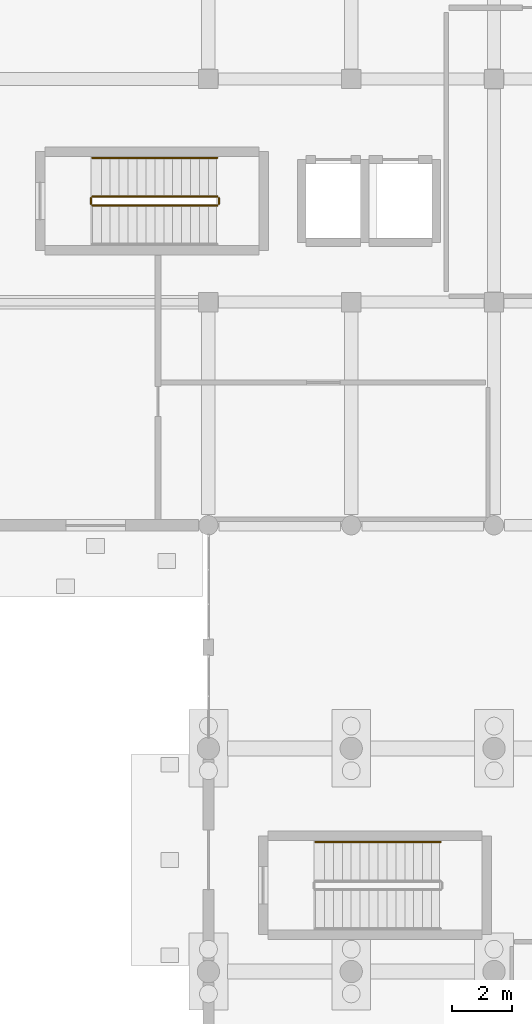
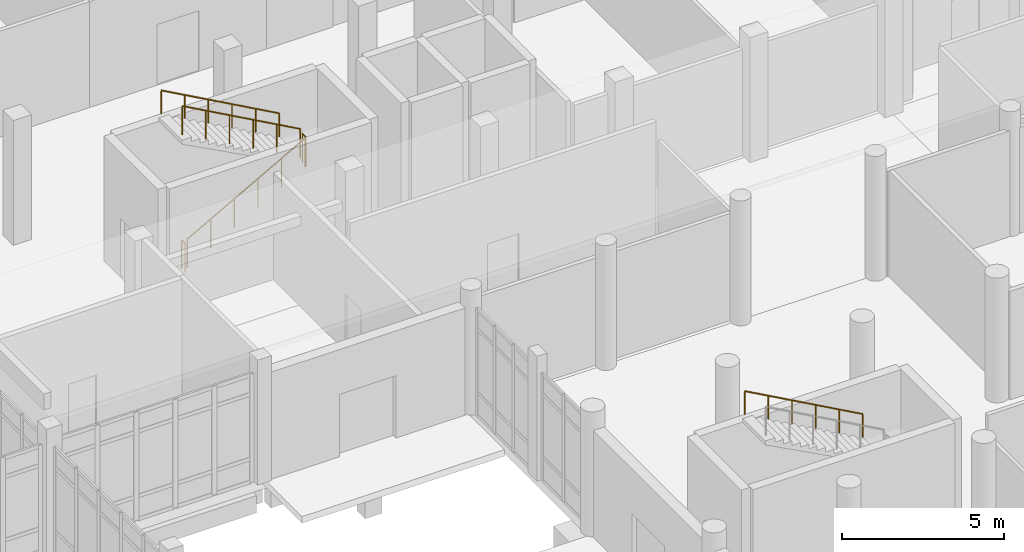
# One storey, part 169 of 173: 6 railings.
"""IFC4 building model written with IfcOpenShell, lengths in metres."""

from ifc_helpers import new_model, si_unit, direction, frame, origin, origin_2d, place, context, subcontext, project, spatial, circle, extrude, material, type_object, element, save


model = new_model("IFC4")

# Units and contexts
model_context = context("Model", 3, precision=1e-05, world=origin(), true_north=direction((0.0, 1.0)))
body_context = subcontext(model_context, "Body", "Model", "MODEL_VIEW")
ifc_project = project(units=[si_unit("LENGTHUNIT", "METRE"), si_unit("AREAUNIT", "SQUARE_METRE"), si_unit("VOLUMEUNIT", "CUBIC_METRE"), si_unit("PLANEANGLEUNIT", "RADIAN"), si_unit("MASSUNIT", "GRAM", prefix="KILO")], contexts=[model_context])

# Site, building, storey
site_placement = place(None, origin())
site = spatial("IfcSite", under=ifc_project, at=site_placement, CompositionType="ELEMENT")
building_placement = place(site_placement, origin())
building = spatial("IfcBuilding", under=site, at=building_placement, Name="Mawjan Specialist Oncology Clinic", CompositionType="ELEMENT")
storey_placement = place(building_placement, origin())
storey = spatial("IfcBuildingStorey", under=building, at=storey_placement, Name="L00", CompositionType="ELEMENT", Elevation=0.0)

# Railings
ifc_material_1 = material(Name="Powder-coated steel stair guard with vertical infill pickets", Category="steel")
railing_type_1 = type_object("IfcRailingType", Name="GR-110", PredefinedType="GUARDRAIL", material=ifc_material_1)
railing_1_placement = place(storey_placement, frame((56.10009765625, 86.550048828125, 0.166748046875)))
element("IfcRailing", 1, at=railing_1_placement, inside=storey, type_object=railing_type_1, Name="L00 ST-03 stair guard 1", PredefinedType="GUARDRAIL", context=body_context, shape_type="SweptSolid", body=[
    extrude(circle(Radius=0.02392578125, at=origin_2d()), frame((0.0, 0.0, 1.076171875), z_axis=(0.874162069901, 0.0, 0.485634302275), x_axis=(0.0, 1.0, 0.0)), (0.0, 0.0, 1.0), 4.804443359375),
    extrude(circle(Radius=0.02099609375, at=origin_2d()), origin(), (0.0, 0.0, 1.0), 1.052001953125),
    extrude(circle(Radius=0.02099609375, at=origin_2d()), frame((0.840087890625, 0.0, 0.466552734375)), (0.0, 0.0, 1.0), 1.052001953125),
    extrude(circle(Radius=0.02099609375, at=origin_2d()), frame((1.679931640625, 0.0, 0.933349609375)), (0.0, 0.0, 1.0), 1.052001953125),
    extrude(circle(Radius=0.02099609375, at=origin_2d()), frame((2.52001953125, 0.0, 1.39990234375)), (0.0, 0.0, 1.0), 1.052001953125),
    extrude(circle(Radius=0.02099609375, at=origin_2d()), frame((3.35986328125, 0.0, 1.86669921875)), (0.0, 0.0, 1.0), 1.052001953125),
    extrude(circle(Radius=0.02099609375, at=origin_2d()), frame((4.199951171875, 0.0, 2.333251953125)), (0.0, 0.0, 1.0), 1.052001953125),
])
railing_2_placement = place(storey_placement, frame((60.35009765625, 86.60009765625, 2.5)))
element("IfcRailing", 2, at=railing_2_placement, inside=storey, type_object=railing_type_1, Name="L00 ST-03 stair guard 2", PredefinedType="GUARDRAIL", context=body_context, shape_type="SweptSolid", body=[
    extrude(circle(Radius=0.02392578125, at=origin_2d()), frame((0.0, 0.0, 1.076171875), z_axis=(0.0, 1.0, 0.0), x_axis=(-1.0, 0.0, 0.0)), (0.0, 0.0, 1.0), 0.199951171875),
    extrude(circle(Radius=0.02099609375, at=origin_2d()), origin(), (0.0, 0.0, 1.0), 1.052001953125),
    extrude(circle(Radius=0.02099609375, at=origin_2d()), frame((0.0, 0.199951171875, 0.0)), (0.0, 0.0, 1.0), 1.052001953125),
])
railing_3_placement = place(storey_placement, frame((60.300048828125, 86.85009765625, 2.666748046875)))
element("IfcRailing", 3, at=railing_3_placement, inside=storey, type_object=railing_type_1, Name="L00 ST-03 stair guard 3", PredefinedType="GUARDRAIL", context=body_context, shape_type="SweptSolid", body=[
    extrude(circle(Radius=0.02392578125, at=origin_2d()), frame((0.0, 0.0, 1.076171875), z_axis=(-0.874162069901, 0.0, 0.485634302275), x_axis=(0.0, -1.0, 0.0)), (0.0, 0.0, 1.0), 4.804443359375),
    extrude(circle(Radius=0.02099609375, at=origin_2d()), origin(), (0.0, 0.0, 1.0), 1.052001953125),
    extrude(circle(Radius=0.02099609375, at=origin_2d()), frame((-0.840087890625, 0.0, 0.466552734375)), (0.0, 0.0, 1.0), 1.052001953125),
    extrude(circle(Radius=0.02099609375, at=origin_2d()), frame((-1.679931640625, 0.0, 0.933349609375)), (0.0, 0.0, 1.0), 1.052001953125),
    extrude(circle(Radius=0.02099609375, at=origin_2d()), frame((-2.52001953125, 0.0, 1.39990234375)), (0.0, 0.0, 1.0), 1.052001953125),
    extrude(circle(Radius=0.02099609375, at=origin_2d()), frame((-3.35986328125, 0.0, 1.86669921875)), (0.0, 0.0, 1.0), 1.052001953125),
    extrude(circle(Radius=0.02099609375, at=origin_2d()), frame((-4.199951171875, 0.0, 2.333251953125)), (0.0, 0.0, 1.0), 1.052001953125),
])
railing_4_placement = place(storey_placement, frame((56.050048828125, 86.60009765625, 0.0)))
element("IfcRailing", 4, at=railing_4_placement, inside=storey, type_object=railing_type_1, Name="L00 ST-03 stair guard 4", PredefinedType="GUARDRAIL", context=body_context, shape_type="SweptSolid", body=[
    extrude(circle(Radius=0.02392578125, at=origin_2d()), frame((0.0, 0.0, 1.076171875), z_axis=(0.0, 1.0, 0.0), x_axis=(-1.0, 0.0, 0.0)), (0.0, 0.0, 1.0), 0.199951171875),
    extrude(circle(Radius=0.02099609375, at=origin_2d()), origin(), (0.0, 0.0, 1.0), 1.052001953125),
    extrude(circle(Radius=0.02099609375, at=origin_2d()), frame((0.0, 0.199951171875, 0.0)), (0.0, 0.0, 1.0), 1.052001953125),
])
ifc_material_2 = material(Name="Brushed stainless-steel tubular handrail", Category="steel")
railing_type_2 = type_object("IfcRailingType", Name="HR-090", PredefinedType="HANDRAIL", material=ifc_material_2)
for number, where, name in (
    (5, (60.300048828125, 88.14990234375, 2.666748046875), "L00 ST-03 stair handrail 2"),
    (6, (67.800048828125, 65.14990234375, 2.666748046875), "L00 ST-07 stair handrail 2"),
):
    element("IfcRailing", number, at=place(storey_placement, frame(where)), inside=storey, type_object=railing_type_2, Name=name, PredefinedType="HANDRAIL", context=body_context, shape_type="SweptSolid", body=[
        extrude(circle(Radius=0.02392578125, at=origin_2d()), frame((0.0, 0.0, 0.8759765625), z_axis=(-0.874162069901, 0.0, 0.485634302275), x_axis=(0.0, -1.0, 0.0)), (0.0, 0.0, 1.0), 4.804443359375),
        extrude(circle(Radius=0.02099609375, at=origin_2d()), origin(), (0.0, 0.0, 1.0), 0.851806640625),
        extrude(circle(Radius=0.02099609375, at=origin_2d()), frame((-0.840087890625, 0.0, 0.466552734375)), (0.0, 0.0, 1.0), 0.851806640625),
        extrude(circle(Radius=0.02099609375, at=origin_2d()), frame((-1.679931640625, 0.0, 0.933349609375)), (0.0, 0.0, 1.0), 0.851806640625),
        extrude(circle(Radius=0.02099609375, at=origin_2d()), frame((-2.52001953125, 0.0, 1.39990234375)), (0.0, 0.0, 1.0), 0.851806640625),
        extrude(circle(Radius=0.02099609375, at=origin_2d()), frame((-3.35986328125, 0.0, 1.86669921875)), (0.0, 0.0, 1.0), 0.851806640625),
        extrude(circle(Radius=0.02099609375, at=origin_2d()), frame((-4.199951171875, 0.0, 2.333251953125)), (0.0, 0.0, 1.0), 0.851806640625),
    ])

save(model, "model.ifc")
